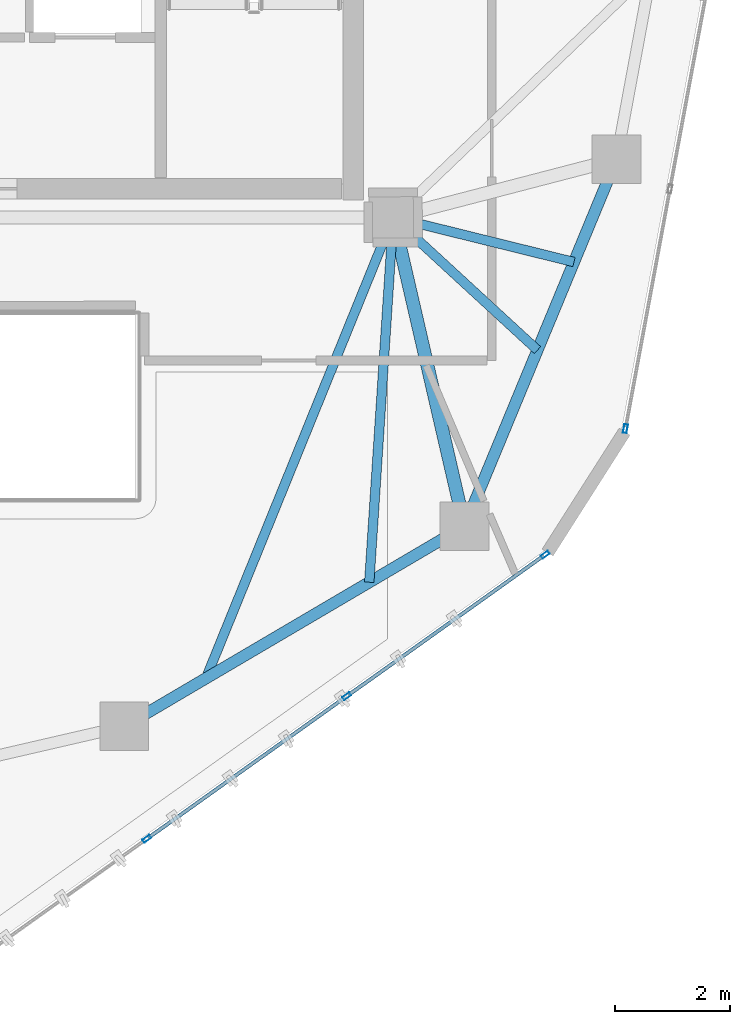
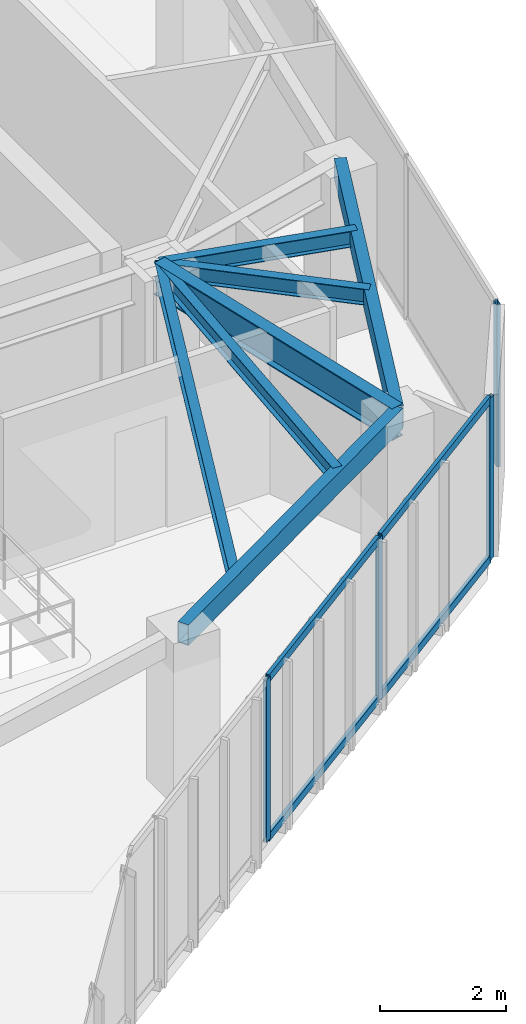
# One storey, part 6 of 19: 8 members, 7 beams, 2 elements without a shape of their own.
"""IFC4 building model written with IfcOpenShell, lengths in metres."""

import ifcopenshell
import ifcopenshell.guid

model = None  # the IFC model being written
_history = None  # IfcOwnerHistory: only IFC2X3 demands one
_inside = {}  # id of a spatial element -> (the spatial element, [elements in it])
_under = {}  # id of a project, library or spatial element -> (it, [spatial elements below it])
_declared = {}  # id of a project -> (the project, [libraries it declares])
_typed = {}  # id of a type object -> (the type object, [elements of that type])
_made_of = {}  # id of a material, layer set ... -> (it, [elements and type objects made of it])


def new_model(schema):
    """Start an empty IFC model of exactly this schema.

    Asked for "IFC4X3", IfcOpenShell would pick the latest addendum, in which some entities
    have other attributes; the version numbers below select the first issue.
    IFC2X3 requires an IfcOwnerHistory on every rooted entity: one is made here for all.
    """
    global model, _history
    if schema == "IFC4X3":
        model = ifcopenshell.file(schema_version=(4, 3, 0, 0))
    else:
        model = ifcopenshell.file(schema=schema)
    _inside.clear()
    _under.clear()
    _declared.clear()
    _typed.clear()
    _made_of.clear()
    _history = None
    if model.schema == "IFC2X3":
        org = make("IfcOrganization", Name="unknown")
        user = make(
            "IfcPersonAndOrganization",
            ThePerson=make("IfcPerson", FamilyName="unknown"),
            TheOrganization=org,
        )
        app = make(
            "IfcApplication",
            ApplicationDeveloper=org,
            Version="unknown",
            ApplicationFullName="unknown",
            ApplicationIdentifier="unknown",
        )
        _history = make(
            "IfcOwnerHistory",
            OwningUser=user,
            OwningApplication=app,
            ChangeAction="ADDED",
            CreationDate=0,
        )
    return model


def make(cls, **values):
    """One entity of the class cls with the attributes given. An attribute that is None is left unset."""
    return model.create_entity(
        cls, **{name: value for name, value in values.items() if value is not None}
    )


def rooted(cls, **values):
    """An entity with a GlobalId (a new one), such as an element, a storey or a relation."""
    return make(cls, GlobalId=ifcopenshell.guid.new(), OwnerHistory=_history, **values)


def si_unit(unit_type, name, prefix=None):
    """IfcSIUnit, for example si_unit("LENGTHUNIT", "METRE", prefix="MILLI")."""
    return make("IfcSIUnit", UnitType=unit_type, Prefix=prefix, Name=name)


def assignment(units):
    """IfcUnitAssignment: the units of a project."""
    return None if units is None else make("IfcUnitAssignment", Units=units)


def point(xyz):
    """IfcCartesianPoint."""
    return None if xyz is None else make("IfcCartesianPoint", Coordinates=xyz)


def direction(xyz):
    """IfcDirection."""
    return None if xyz is None else make("IfcDirection", DirectionRatios=xyz)


def frame(location, z_axis=None, x_axis=None):
    """IfcAxis2Placement3D, a coordinate frame: its origin and axes. An axis left out is left unset."""
    return make(
        "IfcAxis2Placement3D",
        Location=point(location),
        Axis=direction(z_axis),
        RefDirection=direction(x_axis),
    )


def frame_2d(location, x_axis=None):
    """IfcAxis2Placement2D, a coordinate frame in the plane: its origin and x axis."""
    return make(
        "IfcAxis2Placement2D", Location=point(location), RefDirection=direction(x_axis)
    )


def origin():
    """The frame at (0, 0, 0) with its axes left unset."""
    return frame((0.0, 0.0, 0.0))


def origin_2d():
    """The frame at (0, 0) in the plane with its x axis left unset."""
    return frame_2d((0.0, 0.0))


def place(relative_to, where):
    """IfcLocalPlacement: puts the frame where relative to a parent placement (None: the world)."""
    return make(
        "IfcLocalPlacement", PlacementRelTo=relative_to, RelativePlacement=where
    )


def context(
    kind, dimensions, precision=None, world=None, true_north=None, identifier=None
):
    """IfcGeometricRepresentationContext, for example the 3D "Model" context."""
    return make(
        "IfcGeometricRepresentationContext",
        ContextIdentifier=identifier,
        ContextType=kind,
        CoordinateSpaceDimension=dimensions,
        Precision=precision,
        WorldCoordinateSystem=world,
        TrueNorth=true_north,
    )


def subcontext(parent, identifier, kind, view, scale=None):
    """IfcGeometricRepresentationSubContext, for example "Body" below "Model"."""
    return make(
        "IfcGeometricRepresentationSubContext",
        ContextIdentifier=identifier,
        ContextType=kind,
        ParentContext=parent,
        TargetScale=scale,
        TargetView=view,
    )


def project(units=None, contexts=None):
    """IfcProject with its units and contexts."""
    return rooted(
        "IfcProject",
        Name="project",
        RepresentationContexts=contexts,
        UnitsInContext=assignment(units),
    )


def spatial(cls, under=None, at=None, **own):
    """A site, building, storey or space (cls), placed at a placement, below another one or the project."""
    s = rooted(cls, ObjectPlacement=at, **own)
    if under is not None:
        _under.setdefault(under.id(), (under, []))[1].append(s)
    return s


def profile(cls, at=None, kind="AREA", **sizes):
    """A parametric profile (cls). Its sizes go by their IFC names, for example OverallWidth=200.0."""
    return make(cls, ProfileType=kind, Position=at, **sizes)


def hollow_rectangle(**sizes):
    """IfcRectangleHollowProfileDef."""
    return profile("IfcRectangleHollowProfileDef", **sizes)


def i_section(**sizes):
    """IfcIShapeProfileDef."""
    return profile("IfcIShapeProfileDef", **sizes)


def extrude(swept, where, along, depth):
    """IfcExtrudedAreaSolid: the profile swept, set in the frame where, extruded along a direction by depth."""
    return make(
        "IfcExtrudedAreaSolid",
        SweptArea=swept,
        Position=where,
        ExtrudedDirection=direction(along),
        Depth=depth,
    )


def shape(context_of_items, identifier, shape_type, items):
    """IfcShapeRepresentation: the items that make up one representation, for example the "Body"."""
    return make(
        "IfcShapeRepresentation",
        ContextOfItems=context_of_items,
        RepresentationIdentifier=identifier,
        RepresentationType=shape_type,
        Items=items,
    )


def source(mapping_origin, context_of_items, identifier, shape_type, items):
    """IfcRepresentationMap: a shape defined once, which mapped items show again and again."""
    return make(
        "IfcRepresentationMap",
        MappingOrigin=mapping_origin,
        MappedRepresentation=shape(context_of_items, identifier, shape_type, items),
    )


def transform(
    local_origin,
    x_axis=None,
    y_axis=None,
    z_axis=None,
    scale=None,
    scale2=None,
    scale3=None,
    uniform=True,
):
    """IfcCartesianTransformationOperator3D, or its non-uniform kind. x_axis, y_axis, z_axis: its Axis1, 2, 3."""
    if uniform:
        return make(
            "IfcCartesianTransformationOperator3D",
            Axis1=direction(x_axis),
            Axis2=direction(y_axis),
            LocalOrigin=point(local_origin),
            Scale=scale,
            Axis3=direction(z_axis),
        )
    return make(
        "IfcCartesianTransformationOperator3DnonUniform",
        Axis1=direction(x_axis),
        Axis2=direction(y_axis),
        LocalOrigin=point(local_origin),
        Scale=scale,
        Axis3=direction(z_axis),
        Scale2=scale2,
        Scale3=scale3,
    )


def mapped(mapping_source, mapping_target):
    """IfcMappedItem: shows the shape of a source again, moved by a transform."""
    return make(
        "IfcMappedItem", MappingSource=mapping_source, MappingTarget=mapping_target
    )


def material(Name=None, Category=None):
    """IfcMaterial."""
    return make("IfcMaterial", Name=Name, Category=Category)


def layer(
    of_material, thickness, ventilated=None, Name=None, Category=None, Priority=None
):
    """IfcMaterialLayer: one layer of a wall or slab, of a material (None: an air gap)."""
    return make(
        "IfcMaterialLayer",
        Material=of_material,
        LayerThickness=thickness,
        IsVentilated=ventilated,
        Name=Name,
        Category=Category,
        Priority=Priority,
    )


def layer_set(layers, Name=None):
    """IfcMaterialLayerSet."""
    return make("IfcMaterialLayerSet", MaterialLayers=layers, LayerSetName=Name)


def material_profile(
    of_material, cross_section, Name=None, Category=None, Priority=None
):
    """IfcMaterialProfile: a cross section and its material."""
    return make(
        "IfcMaterialProfile",
        Name=Name,
        Material=of_material,
        Profile=cross_section,
        Priority=Priority,
        Category=Category,
    )


def profile_set(profiles, Name=None, composite=None):
    """IfcMaterialProfileSet."""
    return make(
        "IfcMaterialProfileSet",
        Name=Name,
        MaterialProfiles=profiles,
        CompositeProfile=composite,
    )


def made_of(thing, what):
    """Note that an element or type object is made of a material, layer set ...; save() writes the relation."""
    if what is not None:
        _made_of.setdefault(what.id(), (what, []))[1].append(thing)
    return thing


def type_object(cls, material=None, **own):
    """A type object (cls), such as IfcWallType, which elements share."""
    return made_of(rooted(cls, **own), material)


def type_shapes(of_type, sources):
    """Give a type object the sources (RepresentationMaps) that its elements show as mapped items."""
    of_type.RepresentationMaps = sources


def element(
    cls,
    number,
    at=None,
    inside=None,
    cuts=None,
    type_object=None,
    material=None,
    context=None,
    identifier="Body",
    shape_type=None,
    held_by="IfcProductDefinitionShape",
    body=None,
    shapes=None,
    **own,
):
    """One element of the class cls, such as IfcWall. Its Tag is "e" and its number.

    at: its placement. inside: the storey or other place that contains it. cuts: it is an
    opening in that element (IfcRelVoidsElement). A single representation is given by context,
    identifier, shape_type and body (its items); several are given by shapes. held_by: the class
    of the entity that holds the representations. save() writes the other relations.
    """
    e = rooted(cls, Tag="e%d" % number, ObjectPlacement=at, **own)
    if body is not None:
        shapes = [shape(context, identifier, shape_type, body)]
    if shapes is not None:
        e.Representation = make(held_by, Representations=shapes)
    if inside is not None:
        _inside.setdefault(inside.id(), (inside, []))[1].append(e)
    if cuts is not None:
        rooted(
            "IfcRelVoidsElement", RelatingBuildingElement=cuts, RelatedOpeningElement=e
        )
    if type_object is not None:
        _typed.setdefault(type_object.id(), (type_object, []))[1].append(e)
    return made_of(e, material)


def aggregate(whole, parts):
    """IfcRelAggregates: a whole, such as a stair, and the parts it consists of."""
    return rooted("IfcRelAggregates", RelatingObject=whole, RelatedObjects=parts)


def save(model, path):
    """Write the relations noted so far, then the file.

    IfcRelAggregates (storeys below a building ...), IfcRelContainedInSpatialStructure (elements
    in a storey), IfcRelDefinesByType, IfcRelAssociatesMaterial and IfcRelDeclares: one each for
    every whole, place, type object, material and project.
    """
    for whole, parts in _under.values():
        aggregate(whole, parts)
    for where, things in _inside.values():
        rooted(
            "IfcRelContainedInSpatialStructure",
            RelatedElements=things,
            RelatingStructure=where,
        )
    for kind, things in _typed.values():
        rooted("IfcRelDefinesByType", RelatedObjects=things, RelatingType=kind)
    for what, things in _made_of.values():
        rooted("IfcRelAssociatesMaterial", RelatedObjects=things, RelatingMaterial=what)
    for by, libraries in _declared.values():
        rooted("IfcRelDeclares", RelatingContext=by, RelatedDefinitions=libraries)
    model.write(path)


model = new_model("IFC4")

# Units and contexts
model_context = context("Model", 3, precision=1e-05, world=origin(), true_north=direction((0.0, 1.0)))
body_context = subcontext(model_context, "Body", "Model", "MODEL_VIEW")
ifc_project = project(units=[si_unit("LENGTHUNIT", "METRE"), si_unit("AREAUNIT", "SQUARE_METRE"), si_unit("VOLUMEUNIT", "CUBIC_METRE"), si_unit("PLANEANGLEUNIT", "RADIAN"), si_unit("MASSUNIT", "GRAM", prefix="KILO")], contexts=[model_context])

# Site, building, storey
site_placement = place(None, origin())
site = spatial("IfcSite", under=ifc_project, at=site_placement, CompositionType="ELEMENT")
building_placement = place(site_placement, origin())
building = spatial("IfcBuilding", under=site, at=building_placement, Name="Talar Marvaseh", CompositionType="ELEMENT")
storey_placement = place(building_placement, frame((0.0, 0.0, 240.800048828125)))
storey = spatial("IfcBuildingStorey", under=building, at=storey_placement, Name="L63", CompositionType="ELEMENT", Elevation=240.800048828125)

# Beams
ifc_material_1 = material(Name="Steel S355", Category="steel")
ifc_material_profile_1 = material_profile(ifc_material_1, hollow_rectangle(XDim=0.199951171875, YDim=0.39990234375, WallThickness=0.013916015625, at=origin_2d()), Name="RHS400x200x14")
ifc_profile_set_1 = profile_set([ifc_material_profile_1], Name="Steel S355")
beam_type_1 = type_object("IfcBeamType", Name="Zone 3 Perimeter Spandrel Beam RHS400x200x14", PredefinedType="SPANDREL", material=ifc_profile_set_1)
beam_1_placement = place(storey_placement, frame((37.197021484375, 26.513916015625, 2.93994140625), z_axis=(-0.382798740112, -0.923831762048, 0.0), x_axis=(0.923831762048, -0.382798740112, 0.0)))
element("IfcBeam", 1, at=beam_1_placement, inside=storey, type_object=beam_type_1, Name="L63 Zone 3 Perimeter Spandrel Beam RHS400x200x14", PredefinedType="SPANDREL", context=body_context, shape_type="SweptSolid", body=[
    extrude(hollow_rectangle(XDim=0.199951171875, YDim=0.39990234375, WallThickness=0.013916015625, at=origin_2d()), origin(), (0.0, 0.0, 1.0), 6.9306640625),
])
beam_2_placement = place(storey_placement, frame((34.5439453125, 20.111083984375, 2.93994140625), z_axis=(-0.861894136287, -0.507088254482, 0.0), x_axis=(0.507088254482, -0.861894136287, 0.0)))
element("IfcBeam", 2, at=beam_2_placement, inside=storey, type_object=beam_type_1, Name="L63 Zone 3 Perimeter Spandrel Beam RHS400x200x14", PredefinedType="SPANDREL", context=body_context, shape_type="SweptSolid", body=[
    extrude(hollow_rectangle(XDim=0.199951171875, YDim=0.39990234375, WallThickness=0.013916015625, at=origin_2d()), origin(), (0.0, 0.0, 1.0), 6.890625),
])
ifc_material_profile_2 = material_profile(ifc_material_1, i_section(OverallWidth=0.166015625, OverallDepth=0.31298828125, WebThickness=0.006591796875, FlangeThickness=0.01123046875, at=origin_2d()), Name="W310x45")
ifc_profile_set_2 = profile_set([ifc_material_profile_2], Name="Steel S355")
beam_type_2 = type_object("IfcBeamType", Name="Zone 3 Secondary Floor Joist W310x45", PredefinedType="JOIST", material=ifc_profile_set_2)
beam_3_placement = place(storey_placement, frame((36.4541015625, 24.72119140625, 2.9833984375), z_axis=(-0.970841284349, 0.239723174942, 0.0), x_axis=(-0.239723174942, -0.970841284349, 0.0)))
element("IfcBeam", 3, at=beam_3_placement, inside=storey, type_object=beam_type_2, Name="L63 Zone 3 Secondary Floor Joist W310x45", PredefinedType="JOIST", context=body_context, shape_type="SweptSolid", body=[
    extrude(i_section(OverallWidth=0.166015625, OverallDepth=0.31298828125, WebThickness=0.006591796875, FlangeThickness=0.01123046875, at=origin_2d()), origin(), (0.0, 0.0, 1.0), 3.248779296875),
])
beam_4_placement = place(storey_placement, frame((35.8173828125, 23.184326171875, 2.9833984375), z_axis=(-0.735970843201, 0.677013233223, 0.0), x_axis=(-0.677013233223, -0.735970843201, 0.0)))
element("IfcBeam", 4, at=beam_4_placement, inside=storey, type_object=beam_type_2, Name="L63 Zone 3 Secondary Floor Joist W310x45", PredefinedType="JOIST", context=body_context, shape_type="SweptSolid", body=[
    extrude(i_section(OverallWidth=0.166015625, OverallDepth=0.31298828125, WebThickness=0.006591796875, FlangeThickness=0.01123046875, at=origin_2d()), origin(), (0.0, 0.0, 1.0), 3.42041015625),
])
beam_5_placement = place(storey_placement, frame((32.881103515625, 19.1328125, 2.9833984375), z_axis=(0.065655577597, 0.997842344827, 0.0), x_axis=(-0.997842344827, 0.065655577597, 0.0)))
element("IfcBeam", 5, at=beam_5_placement, inside=storey, type_object=beam_type_2, Name="L63 Zone 3 Secondary Floor Joist W310x45", PredefinedType="JOIST", context=body_context, shape_type="SweptSolid", body=[
    extrude(i_section(OverallWidth=0.166015625, OverallDepth=0.31298828125, WebThickness=0.006591796875, FlangeThickness=0.01123046875, at=origin_2d()), origin(), (0.0, 0.0, 1.0), 6.380859375),
])
beam_6_placement = place(storey_placement, frame((30.030517578125, 17.45556640625, 2.9833984375), z_axis=(0.37652334678, 0.92640712936, 0.0), x_axis=(-0.92640712936, 0.37652334678, 0.0)))
element("IfcBeam", 6, at=beam_6_placement, inside=storey, type_object=beam_type_2, Name="L63 Zone 3 Secondary Floor Joist W310x45", PredefinedType="JOIST", context=body_context, shape_type="SweptSolid", body=[
    extrude(i_section(OverallWidth=0.166015625, OverallDepth=0.31298828125, WebThickness=0.006591796875, FlangeThickness=0.01123046875, at=origin_2d()), origin(), (0.0, 0.0, 1.0), 8.68359375),
])
ifc_material_profile_3 = material_profile(ifc_material_1, i_section(OverallWidth=0.22998046875, OverallDepth=0.616943359375, WebThickness=0.01318359375, FlangeThickness=0.022216796875, at=origin_2d()), Name="W610x140")
ifc_profile_set_3 = profile_set([ifc_material_profile_3], Name="Steel S355")
beam_type_3 = type_object("IfcBeamType", Name="Zone 4 Radial Floor Girder W610x140", PredefinedType="BEAM", material=ifc_profile_set_3)
beam_7_placement = place(storey_placement, frame((34.5439453125, 20.111083984375, 2.83154296875), z_axis=(-0.22491108979, 0.974379290466, 0.0), x_axis=(-0.974379290466, -0.22491108979, 0.0)))
element("IfcBeam", 7, at=beam_7_placement, inside=storey, type_object=beam_type_3, Name="L63 Zone 4 Radial Floor Girder W610x140", PredefinedType="BEAM", context=body_context, shape_type="SweptSolid", body=[
    extrude(i_section(OverallWidth=0.22998046875, OverallDepth=0.616943359375, WebThickness=0.01318359375, FlangeThickness=0.022216796875, at=origin_2d()), origin(), (0.0, 0.0, 1.0), 5.530517578125),
])

# Curtain wall, member
ifc_material_2 = material(Name="Architectural Aluminium", Category="aluminium")
ifc_layer = layer(ifc_material_2, 0.179931640625)
ifc_layer_set = layer_set([ifc_layer], Name="Architectural Aluminium")
curtain_wall_type = type_object("IfcCurtainWallType", Name="Unitised High-Wind Sky Curtain Wall Z4", PredefinedType="NOTDEFINED", material=ifc_layer_set)
curtain_wall_1_placement = place(storey_placement, origin())
curtain_wall_1 = element("IfcCurtainWall", 8, at=curtain_wall_1_placement, inside=storey, type_object=curtain_wall_type, Name="L63 Unitised High-Wind Sky Curtain Wall Z4", PredefinedType="NOTDEFINED")
ifc_material_profile_4 = material_profile(ifc_material_2, hollow_rectangle(XDim=0.06494140625, YDim=0.14990234375, WallThickness=0.00390625, at=origin_2d()), Name="RHS150x65x4")
ifc_profile_set_4 = profile_set([ifc_material_profile_4], Name="Architectural Aluminium")
member_type_1 = type_object("IfcMemberType", Name="Unitised Curtain Wall Slim Mullion RHS150x65x4", PredefinedType="MULLION", material=ifc_profile_set_4)
shared_shape_1 = source(origin(), body_context, "Body", "SweptSolid", [
    extrude(hollow_rectangle(XDim=0.06494140625, YDim=0.14990234375, WallThickness=0.00390625, at=origin_2d()), origin(), (0.0, 0.0, 1.0), 3.139892578125),
])
type_shapes(member_type_1, [shared_shape_1])
member_1_placement = place(storey_placement, frame((37.35302734375, 21.8134765625, 0.0), z_axis=(0.0, 0.0, 1.0), x_axis=(0.983227037765, -0.182385833354, 0.0)))
member_1 = element("IfcMember", 9, at=member_1_placement, type_object=member_type_1, Name="CW-Z4 mullion 5", PredefinedType="MULLION", context=body_context, shape_type="MappedRepresentation", body=[
    mapped(shared_shape_1, transform((0.0, 0.0, 0.0), x_axis=(1.0, 0.0, 0.0), y_axis=(0.0, 1.0, 0.0), z_axis=(0.0, 0.0, 1.0), scale=1.0)),
])
aggregate(curtain_wall_1, [member_1])

# Curtain wall, members
curtain_wall_2_placement = place(storey_placement, origin())
curtain_wall_2 = element("IfcCurtainWall", 10, at=curtain_wall_2_placement, inside=storey, type_object=curtain_wall_type, Name="L63 Unitised High-Wind Sky Curtain Wall Z4", PredefinedType="NOTDEFINED")
member_2_placement = place(storey_placement, frame((35.951904296875, 19.614013671875, 0.0), z_axis=(0.0, 0.0, 1.0), x_axis=(0.580831495854, -0.814023816251, 0.0)))
member_2 = element("IfcMember", 11, at=member_2_placement, type_object=member_type_1, Name="CW-Z4 mullion 1", PredefinedType="MULLION", context=body_context, shape_type="MappedRepresentation", body=[
    mapped(shared_shape_1, transform((0.0, 0.0, 0.0), x_axis=(1.0, 0.0, 0.0), y_axis=(0.0, 1.0, 0.0), z_axis=(0.0, 0.0, 1.0), scale=1.0)),
])
member_3_placement = place(storey_placement, frame((32.4892578125, 17.143310546875, 0.0), z_axis=(0.0, 0.0, 1.0), x_axis=(0.580831495854, -0.814023816251, 0.0)))
member_3 = element("IfcMember", 12, at=member_3_placement, type_object=member_type_1, Name="CW-Z4 mullion 2", PredefinedType="MULLION", context=body_context, shape_type="MappedRepresentation", body=[
    mapped(shared_shape_1, transform((0.0, 0.0, 0.0), x_axis=(1.0, 0.0, 0.0), y_axis=(0.0, 1.0, 0.0), z_axis=(0.0, 0.0, 1.0), scale=1.0)),
])
member_4_placement = place(storey_placement, frame((29.0, 14.65380859375, 0.0), z_axis=(0.0, 0.0, 1.0), x_axis=(0.580831495854, -0.814023816251, 0.0)))
member_4 = element("IfcMember", 13, at=member_4_placement, type_object=member_type_1, Name="CW-Z4 mullion 3", PredefinedType="MULLION", context=body_context, shape_type="MappedRepresentation", body=[
    mapped(shared_shape_1, transform((0.0, 0.0, 0.0), x_axis=(1.0, 0.0, 0.0), y_axis=(0.0, 1.0, 0.0), z_axis=(0.0, 0.0, 1.0), scale=1.0)),
])
ifc_material_profile_5 = material_profile(ifc_material_2, hollow_rectangle(XDim=0.06494140625, YDim=0.14990234375, WallThickness=0.00390625, at=origin_2d()), Name="RHS150x65x4")
ifc_profile_set_5 = profile_set([ifc_material_profile_5], Name="Architectural Aluminium")
member_type_2 = type_object("IfcMemberType", Name="Unitised Curtain Wall Slim Transom RHS150x65x4", PredefinedType="USERDEFINED", material=ifc_profile_set_5)
shared_shape_2 = source(origin(), body_context, "Body", "SweptSolid", [
    extrude(hollow_rectangle(XDim=0.06494140625, YDim=0.14990234375, WallThickness=0.00390625, at=origin_2d()), origin(), (0.0, 0.0, 1.0), 4.188720703125),
])
member_5_placement = place(storey_placement, frame((35.92529296875, 19.59521484375, 0.032470703125), z_axis=(-0.814028736724, -0.580824599847, 0.0), x_axis=(0.580824599847, -0.814028736724, 0.0)))
member_5 = element("IfcMember", 14, at=member_5_placement, type_object=member_type_2, Name="CW-Z4 transom 1.1", ObjectType="TRANSOM", PredefinedType="USERDEFINED", context=body_context, shape_type="MappedRepresentation", body=[
    mapped(shared_shape_2, transform((0.0, 0.0, 0.0), x_axis=(1.0, 0.0, 0.0), y_axis=(0.0, 1.0, 0.0), z_axis=(0.0, 0.0, 1.0), scale=1.0)),
])
member_6_placement = place(storey_placement, frame((35.92529296875, 19.59521484375, 3.107421875), z_axis=(-0.814028736724, -0.580824599847, 0.0), x_axis=(0.580824599847, -0.814028736724, 0.0)))
member_6 = element("IfcMember", 15, at=member_6_placement, type_object=member_type_2, Name="CW-Z4 transom 1.2", ObjectType="TRANSOM", PredefinedType="USERDEFINED", context=body_context, shape_type="MappedRepresentation", body=[
    mapped(shared_shape_2, transform((0.0, 0.0, 0.0), x_axis=(1.0, 0.0, 0.0), y_axis=(0.0, 1.0, 0.0), z_axis=(0.0, 0.0, 1.0), scale=1.0)),
])
shared_shape_3 = source(origin(), body_context, "Body", "SweptSolid", [
    extrude(hollow_rectangle(XDim=0.06494140625, YDim=0.14990234375, WallThickness=0.00390625, at=origin_2d()), origin(), (0.0, 0.0, 1.0), 4.22119140625),
])
type_shapes(member_type_2, [shared_shape_2, shared_shape_3])
member_7_placement = place(storey_placement, frame((32.462646484375, 17.12451171875, 0.032470703125), z_axis=(-0.814003030801, -0.580860625148, 0.0), x_axis=(0.580860625148, -0.814003030801, 0.0)))
member_7 = element("IfcMember", 16, at=member_7_placement, type_object=member_type_2, Name="CW-Z4 transom 2.1", ObjectType="TRANSOM", PredefinedType="USERDEFINED", context=body_context, shape_type="MappedRepresentation", body=[
    mapped(shared_shape_3, transform((0.0, 0.0, 0.0), x_axis=(1.0, 0.0, 0.0), y_axis=(0.0, 1.0, 0.0), z_axis=(0.0, 0.0, 1.0), scale=1.0)),
])
member_8_placement = place(storey_placement, frame((32.462646484375, 17.12451171875, 3.107421875), z_axis=(-0.814003030801, -0.580860625148, 0.0), x_axis=(0.580860625148, -0.814003030801, 0.0)))
member_8 = element("IfcMember", 17, at=member_8_placement, type_object=member_type_2, Name="CW-Z4 transom 2.2", ObjectType="TRANSOM", PredefinedType="USERDEFINED", context=body_context, shape_type="MappedRepresentation", body=[
    mapped(shared_shape_3, transform((0.0, 0.0, 0.0), x_axis=(1.0, 0.0, 0.0), y_axis=(0.0, 1.0, 0.0), z_axis=(0.0, 0.0, 1.0), scale=1.0)),
])
aggregate(curtain_wall_2, [member_2, member_3, member_4, member_5, member_6, member_7, member_8])

save(model, "model.ifc")
